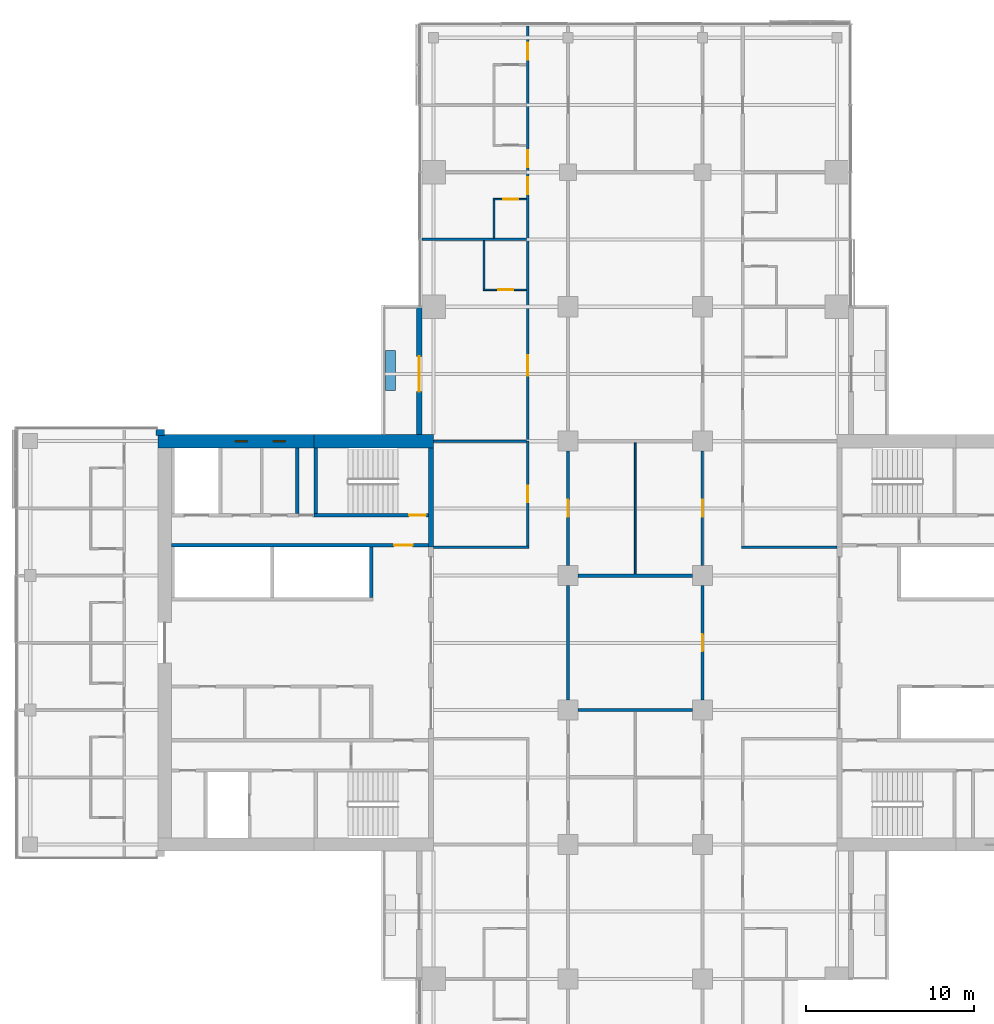
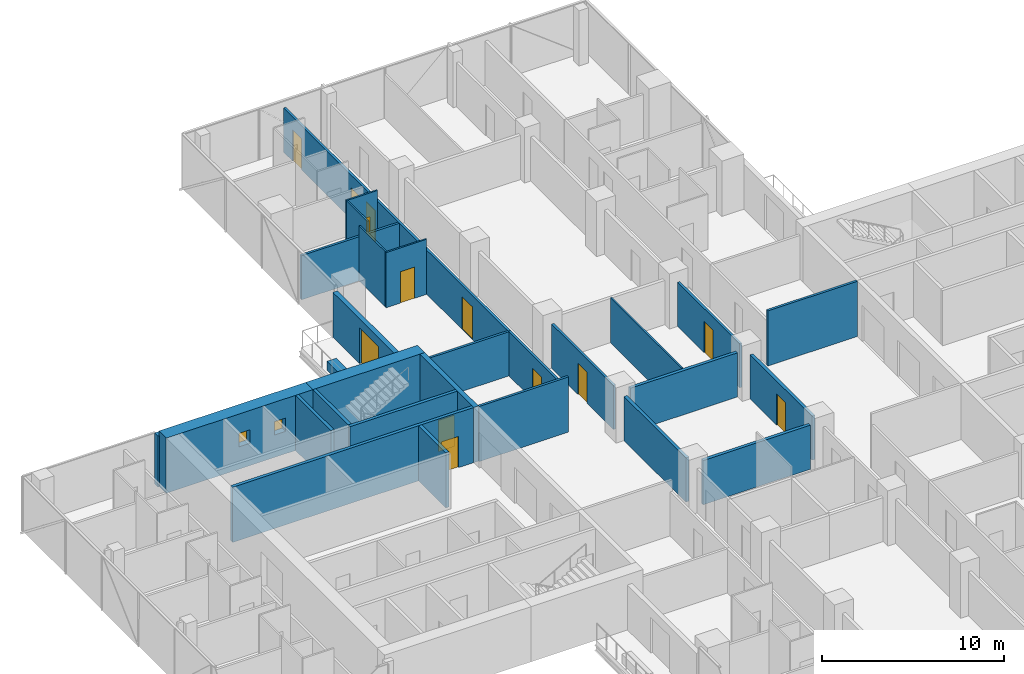
# One storey, part 19 of 27: 28 walls, 13 doors, 2 windows, 15 openings.
"""IFC4 building model written with IfcOpenShell, lengths in metres."""

from ifc_helpers import new_model, si_unit, direction, frame, frame_2d, origin, place, context, subcontext, project, spatial, rectangle, extrude, material, layer, layer_set, constituent, constituent_set, type_object, element, fill, save


model = new_model("IFC4")

# Units and contexts
model_context = context("Model", 3, precision=1e-05, world=origin(), true_north=direction((0.0, 1.0)))
body_context = subcontext(model_context, "Body", "Model", "MODEL_VIEW")
ifc_project = project(units=[si_unit("LENGTHUNIT", "METRE"), si_unit("AREAUNIT", "SQUARE_METRE"), si_unit("VOLUMEUNIT", "CUBIC_METRE"), si_unit("PLANEANGLEUNIT", "RADIAN"), si_unit("MASSUNIT", "GRAM", prefix="KILO")], contexts=[model_context])

# Site, building, storey
site_placement = place(None, origin())
site = spatial("IfcSite", under=ifc_project, at=site_placement, CompositionType="ELEMENT")
building_placement = place(site_placement, origin())
building = spatial("IfcBuilding", under=site, at=building_placement, Name="Crosswind Convention Tower", CompositionType="ELEMENT")
storey_placement = place(building_placement, frame((0.0, 0.0, 72.0)))
storey = spatial("IfcBuildingStorey", under=building, at=storey_placement, Name="L12", CompositionType="ELEMENT", Elevation=72.0)

# Walls
ifc_material_1 = material(Name="Concrete blockwork", Category="masonry")
ifc_layer_1 = layer(ifc_material_1, 0.199951171875)
ifc_layer_set_1 = layer_set([ifc_layer_1], Name="Blockwork partition wall 200")
wall_type_1 = type_object("IfcWallType", Name="Blockwork partition wall 200", PredefinedType="PARTITIONING", material=ifc_layer_set_1)
wall_1_placement = place(storey_placement, frame((104.89990234375, 111.60009765625, 0.0), z_axis=(0.0, 0.0, 1.0), x_axis=(0.0, -1.0, 0.0)))
element("IfcWall", 1, at=wall_1_placement, inside=storey, type_object=wall_type_1, Name="Wall MRSE W L12", PredefinedType="PARTITIONING", context=body_context, shape_type="SweptSolid", body=[
    extrude(rectangle(XDim=3.900146484375, YDim=0.199951171875, at=frame_2d((1.9501953125, 0.0))), origin(), (0.0, 0.0, 1.0), 3.699951171875),
])
ifc_material_2 = material(Name="Plasterboard partition", Category="gypsum")
ifc_layer_2 = layer(ifc_material_2, 0.14990234375)
ifc_layer_set_2 = layer_set([ifc_layer_2], Name="CORRIDOR WALL 150")
wall_type_2 = type_object("IfcWallType", Name="CORRIDOR WALL 150", PredefinedType="PARTITIONING", material=ifc_layer_set_2)
for number, where, z_axis, x_axis, name in (
    (2, (113.0, 105.699951171875, 0.0), (0.0, 0.0, 1.0), (1.0, 0.0, 0.0), "Corridor Wall 44"),
    (3, (131.324951171875, 105.699951171875, 0.0), (0.0, 0.0, 1.0), (1.0, 0.0, 0.0), "Corridor Wall 45"),
):
    element("IfcWall", number, at=place(storey_placement, frame(where, z_axis=z_axis, x_axis=x_axis)), inside=storey, type_object=wall_type_2, Name=name, PredefinedType="PARTITIONING", context=body_context, shape_type="SweptSolid", body=[
        extrude(rectangle(XDim=5.675048828125, YDim=0.14990234375, at=frame_2d((2.83740234375, 0.0))), origin(), (0.0, 0.0, 1.0), 3.699951171875),
    ])

# Wall, opening, door
wall_2_placement = place(storey_placement, frame((118.60009765625, 105.77490234375, 0.0), z_axis=(0.0, 0.0, 1.0), x_axis=(0.0, 1.0, 0.0)))
wall_2 = element("IfcWall", 4, at=wall_2_placement, inside=storey, type_object=wall_type_2, Name="Corridor Wall 85", PredefinedType="PARTITIONING", context=body_context, shape_type="SweptSolid", body=[
    extrude(rectangle(XDim=6.22509765625, YDim=0.14990234375, at=frame_2d((3.112548828125, 0.0))), origin(), (0.0, 0.0, 1.0), 2.956298828125),
])
opening_1_placement = place(wall_2_placement, frame((2.574951171875, 0.0, 0.0)))
opening_1 = element("IfcOpeningElement", 5, at=opening_1_placement, cuts=wall_2, Name="Opening 12.003", PredefinedType="OPENING", context=body_context, shape_type="SweptSolid", body=[
    extrude(rectangle(XDim=1.0, YDim=2.10009765625, at=frame_2d((0.5, 1.050048828125))), frame((0.0, 0.0849609375, 0.0), z_axis=(0.0, -1.0, 0.0), x_axis=(1.0, 0.0, 0.0)), (0.0, 0.0, 1.0), 0.169921875),
])
ifc_material_3 = material(Name="Timber fire door", Category="wood")
door_type_1 = type_object("IfcDoorType", Name="SERVICE ROOM DOOR 1000X2100", OperationType="NOTDEFINED", PredefinedType="DOOR", material=ifc_material_3)
door_1_placement = place(opening_1_placement, origin())
door_1 = element("IfcDoor", 6, at=door_1_placement, inside=storey, type_object=door_type_1, Name="Door 12.003", ObjectType="D3", OperationType="SINGLE_SWING_RIGHT", OverallHeight=2.10009765625, OverallWidth=1.0, PredefinedType="DOOR", context=body_context, shape_type="SweptSolid", body=[
    extrude(rectangle(XDim=1.0, YDim=2.10009765625, at=frame_2d((0.5, 1.050048828125))), frame((0.0, 0.02490234375, 0.0), z_axis=(0.0, -1.0, 0.0), x_axis=(1.0, 0.0, 0.0)), (0.0, 0.0, 1.0), 0.050048828125),
])
fill(opening_1, door_1)

wall_3_placement = place(storey_placement, frame((121.0, 104.60009765625, 0.0), z_axis=(0.0, 0.0, 1.0), x_axis=(0.0, 1.0, 0.0)))
wall_3 = element("IfcWall", 7, at=wall_3_placement, inside=storey, type_object=wall_type_2, Name="Corridor Wall 94", PredefinedType="PARTITIONING", context=body_context, shape_type="SweptSolid", body=[
    extrude(rectangle(XDim=6.7998046875, YDim=0.14990234375, at=frame_2d((3.39990234375, 0.0))), origin(), (0.0, 0.0, 1.0), 2.959716796875),
])
opening_2_placement = place(wall_3_placement, frame((2.89990234375, 0.0, 0.0)))
opening_2 = element("IfcOpeningElement", 8, at=opening_2_placement, cuts=wall_3, Name="Opening 12.065", PredefinedType="OPENING", context=body_context, shape_type="SweptSolid", body=[
    extrude(rectangle(XDim=1.0, YDim=2.10009765625, at=frame_2d((0.5, 1.050048828125))), frame((0.0, 0.0849609375, 0.0), z_axis=(0.0, -1.0, 0.0), x_axis=(1.0, 0.0, 0.0)), (0.0, 0.0, 1.0), 0.169921875),
])
door_2_placement = place(opening_2_placement, frame((1.0, 0.0, 0.0), z_axis=(0.0, 0.0, 1.0), x_axis=(-1.0, 0.0, 0.0)))
door_2 = element("IfcDoor", 9, at=door_2_placement, inside=storey, type_object=door_type_1, Name="Door 12.065", ObjectType="D3", OperationType="SINGLE_SWING_LEFT", OverallHeight=2.10009765625, OverallWidth=1.0, PredefinedType="DOOR", context=body_context, shape_type="SweptSolid", body=[
    extrude(rectangle(XDim=1.0, YDim=2.10009765625, at=frame_2d((0.5, 1.050048828125))), frame((0.0, 0.02490234375, 0.0), z_axis=(0.0, -1.0, 0.0), x_axis=(1.0, 0.0, 0.0)), (0.0, 0.0, 1.0), 0.050048828125),
])
fill(opening_2, door_2)

wall_4_placement = place(storey_placement, frame((129.0, 104.60009765625, 0.0), z_axis=(0.0, 0.0, 1.0), x_axis=(0.0, 1.0, 0.0)))
wall_4 = element("IfcWall", 10, at=wall_4_placement, inside=storey, type_object=wall_type_2, Name="Corridor Wall 110", PredefinedType="PARTITIONING", context=body_context, shape_type="SweptSolid", body=[
    extrude(rectangle(XDim=6.7998046875, YDim=0.14990234375, at=frame_2d((3.39990234375, 0.0))), origin(), (0.0, 0.0, 1.0), 2.959716796875),
])
opening_3_placement = place(wall_4_placement, frame((2.89990234375, 0.0, 0.0)))
opening_3 = element("IfcOpeningElement", 11, at=opening_3_placement, cuts=wall_4, Name="Opening 12.066", PredefinedType="OPENING", context=body_context, shape_type="SweptSolid", body=[
    extrude(rectangle(XDim=1.0, YDim=2.10009765625, at=frame_2d((0.5, 1.050048828125))), frame((0.0, 0.0849609375, 0.0), z_axis=(0.0, -1.0, 0.0), x_axis=(1.0, 0.0, 0.0)), (0.0, 0.0, 1.0), 0.169921875),
])
door_3_placement = place(opening_3_placement, origin())
door_3 = element("IfcDoor", 12, at=door_3_placement, inside=storey, type_object=door_type_1, Name="Door 12.066", ObjectType="D3", OperationType="SINGLE_SWING_RIGHT", OverallHeight=2.10009765625, OverallWidth=1.0, PredefinedType="DOOR", context=body_context, shape_type="SweptSolid", body=[
    extrude(rectangle(XDim=1.0, YDim=2.10009765625, at=frame_2d((0.5, 1.050048828125))), frame((0.0, 0.02490234375, 0.0), z_axis=(0.0, -1.0, 0.0), x_axis=(1.0, 0.0, 0.0)), (0.0, 0.0, 1.0), 0.050048828125),
])
fill(opening_3, door_3)

# Walls
ifc_material_4 = material(Name="Concrete C50/60", Category="concrete")
ifc_layer_3 = layer(ifc_material_4, 0.300048828125)
ifc_layer_set_3 = layer_set([ifc_layer_3], Name="Concrete C50/60")
wall_type_3 = type_object("IfcWallType", Name="Concrete inner core wall 300", PredefinedType="SHEAR", material=ifc_layer_set_3)
wall_5_placement = place(storey_placement, frame((112.85009765625, 111.60009765625, 0.0), z_axis=(0.0, 0.0, 1.0), x_axis=(0.0, -1.0, 0.0)))
element("IfcWall", 13, at=wall_5_placement, inside=storey, type_object=wall_type_3, Name="Wall EM W L12", PredefinedType="SHEAR", context=body_context, shape_type="SweptSolid", body=[
    extrude(rectangle(XDim=5.900146484375, YDim=0.300048828125, at=frame_2d((2.9501953125, 0.0))), origin(), (0.0, 0.0, 1.0), 3.699951171875),
])
ifc_layer_4 = layer(ifc_material_4, 0.199951171875)
ifc_layer_set_4 = layer_set([ifc_layer_4], Name="Concrete C50/60")
wall_type_4 = type_object("IfcWallType", Name="Concrete shaft and stair wall 200", PredefinedType="SHEAR", material=ifc_layer_set_4)
wall_6_placement = place(storey_placement, frame((109.300048828125, 105.699951171875, 0.0), z_axis=(0.0, 0.0, 1.0), x_axis=(0.0, -1.0, 0.0)))
element("IfcWall", 14, at=wall_6_placement, inside=storey, type_object=wall_type_4, Name="Wall RMEND W L12", PredefinedType="SHEAR", context=body_context, shape_type="SweptSolid", body=[
    extrude(rectangle(XDim=3.0, YDim=0.199951171875, at=frame_2d((1.5, 0.0))), origin(), (0.0, 0.0, 1.0), 3.699951171875),
])

# Wall, opening, door
wall_7_placement = place(storey_placement, frame((112.699951171875, 105.800048828125, 0.0), z_axis=(0.0, 0.0, 1.0), x_axis=(-1.0, 0.0, 0.0)))
wall_7 = element("IfcWall", 15, at=wall_7_placement, inside=storey, type_object=wall_type_4, Name="Wall HM W L12", PredefinedType="SHEAR", context=body_context, shape_type="SweptSolid", body=[
    extrude(rectangle(XDim=15.300048828125, YDim=0.199951171875, at=frame_2d((7.64990234375, 0.0))), origin(), (0.0, 0.0, 1.0), 3.699951171875),
])
opening_4_placement = place(wall_7_placement, frame((0.949951171875, 0.0, 0.0)))
opening_4 = element("IfcOpeningElement", 16, at=opening_4_placement, cuts=wall_7, Name="Opening D104", PredefinedType="OPENING", context=body_context, shape_type="SweptSolid", body=[
    extrude(rectangle(XDim=1.10009765625, YDim=2.10009765625, at=frame_2d((0.550048828125, 1.050048828125))), frame((0.0, 0.10986328125, 0.0), z_axis=(0.0, -1.0, 0.0), x_axis=(1.0, 0.0, 0.0)), (0.0, 0.0, 1.0), 0.219970703125),
])
ifc_material_5 = material(Name="Steel fire door", Category="steel")
door_type_2 = type_object("IfcDoorType", Name="Fire-rated single door 1100x2100", OperationType="NOTDEFINED", PredefinedType="DOOR", material=ifc_material_5)
door_4_placement = place(opening_4_placement, origin())
door_4 = element("IfcDoor", 17, at=door_4_placement, inside=storey, type_object=door_type_2, Name="Corridor door L12", ObjectType="D104", OperationType="SINGLE_SWING_LEFT", OverallHeight=2.10009765625, OverallWidth=1.10009765625, PredefinedType="DOOR", context=body_context, shape_type="SweptSolid", body=[
    extrude(rectangle(XDim=1.10009765625, YDim=2.10009765625, at=frame_2d((0.550048828125, 1.050048828125))), frame((0.0, 0.02490234375, 0.0), z_axis=(0.0, -1.0, 0.0), x_axis=(1.0, 0.0, 0.0)), (0.0, 0.0, 1.0), 0.050048828125),
])
fill(opening_4, door_4)

# Wall
wall_8_placement = place(storey_placement, frame((106.0, 111.60009765625, 0.0), z_axis=(0.0, 0.0, 1.0), x_axis=(0.0, -1.0, 0.0)))
element("IfcWall", 18, at=wall_8_placement, inside=storey, type_object=wall_type_4, Name="Wall MSE W L12", PredefinedType="SHEAR", context=body_context, shape_type="SweptSolid", body=[
    extrude(rectangle(XDim=3.900146484375, YDim=0.199951171875, at=frame_2d((1.9501953125, 0.0))), origin(), (0.0, 0.0, 1.0), 3.699951171875),
])

# Wall, opening, door
wall_9_placement = place(storey_placement, frame((112.699951171875, 107.60009765625, 0.0), z_axis=(0.0, 0.0, 1.0), x_axis=(-1.0, 0.0, 0.0)))
wall_9 = element("IfcWall", 19, at=wall_9_placement, inside=storey, type_object=wall_type_4, Name="Wall MCW W L12", PredefinedType="SHEAR", context=body_context, shape_type="SweptSolid", body=[
    extrude(rectangle(XDim=6.800048828125, YDim=0.199951171875, at=frame_2d((3.39990234375, 0.0))), origin(), (0.0, 0.0, 1.0), 3.699951171875),
])
opening_5_placement = place(wall_9_placement, frame((0.14990234375, 0.0, 0.0)))
opening_5 = element("IfcOpeningElement", 20, at=opening_5_placement, cuts=wall_9, Name="Opening D103", PredefinedType="OPENING", context=body_context, shape_type="SweptSolid", body=[
    extrude(rectangle(XDim=1.0, YDim=2.10009765625, at=frame_2d((0.5, 1.050048828125))), frame((0.0, 0.10986328125, 0.0), z_axis=(0.0, -1.0, 0.0), x_axis=(1.0, 0.0, 0.0)), (0.0, 0.0, 1.0), 0.219970703125),
])
door_type_3 = type_object("IfcDoorType", Name="Fire-rated single door 1000x2100", OperationType="NOTDEFINED", PredefinedType="DOOR", material=ifc_material_5)
door_5_placement = place(opening_5_placement, frame((1.0, 0.0, 0.0), z_axis=(0.0, 0.0, 1.0), x_axis=(-1.0, 0.0, 0.0)))
door_5 = element("IfcDoor", 21, at=door_5_placement, inside=storey, type_object=door_type_3, Name="Stair ST4 door L12", ObjectType="D103", OperationType="SINGLE_SWING_RIGHT", OverallHeight=2.10009765625, OverallWidth=1.0, PredefinedType="DOOR", context=body_context, shape_type="SweptSolid", body=[
    extrude(rectangle(XDim=1.0, YDim=2.10009765625, at=frame_2d((0.5, 1.050048828125))), frame((0.0, 0.02490234375, 0.0), z_axis=(0.0, -1.0, 0.0), x_axis=(1.0, 0.0, 0.0)), (0.0, 0.0, 1.0), 0.050048828125),
])
fill(opening_5, door_5)

# Walls
ifc_material_6 = material(Name="Acoustic plasterboard partition", Category="gypsum")
ifc_layer_5 = layer(ifc_material_6, 0.14990234375)
ifc_layer_set_5 = layer_set([ifc_layer_5], Name="GUEST ROOM WALL 150")
wall_type_5 = type_object("IfcWallType", Name="GUEST ROOM WALL 150", PredefinedType="PARTITIONING", material=ifc_layer_set_5)
wall_10_placement = place(storey_placement, frame((113.0, 112.0, 0.0), z_axis=(0.0, 0.0, 1.0), x_axis=(1.0, 0.0, 0.0)))
element("IfcWall", 22, at=wall_10_placement, inside=storey, type_object=wall_type_5, Name="Guest Room Wall 51", PredefinedType="PARTITIONING", context=body_context, shape_type="SweptSolid", body=[
    extrude(rectangle(XDim=5.52490234375, YDim=0.14990234375, at=frame_2d((2.762451171875, 0.0))), origin(), (0.0, 0.0, 1.0), 2.956298828125),
])
wall_11_placement = place(storey_placement, frame((112.300048828125, 124.0, 0.0), z_axis=(0.0, 0.0, 1.0), x_axis=(1.0, 0.0, 0.0)))
element("IfcWall", 23, at=wall_11_placement, inside=storey, type_object=wall_type_5, Name="Guest Room Wall 58", PredefinedType="PARTITIONING", context=body_context, shape_type="SweptSolid", body=[
    extrude(rectangle(XDim=6.224853515625, YDim=0.14990234375, at=frame_2d((3.1123046875, 0.0))), origin(), (0.0, 0.0, 1.0), 2.962890625),
])

# Wall, openings, doors
wall_12_placement = place(storey_placement, frame((118.60009765625, 112.0, 0.0), z_axis=(0.0, 0.0, 1.0), x_axis=(0.0, 1.0, 0.0)))
wall_12 = element("IfcWall", 24, at=wall_12_placement, inside=storey, type_object=wall_type_5, Name="Guest Room Wall 86", PredefinedType="PARTITIONING", context=body_context, shape_type="SweptSolid", body=[
    extrude(rectangle(XDim=24.699951171875, YDim=0.14990234375, at=frame_2d((12.35009765625, 0.0))), origin(), (0.0, 0.0, 1.0), 2.956298828125),
])
opening_6_placement = place(wall_12_placement, frame((3.89990234375, 0.0, 0.0)))
opening_6 = element("IfcOpeningElement", 25, at=opening_6_placement, cuts=wall_12, Name="Opening 12.012", PredefinedType="OPENING", context=body_context, shape_type="SweptSolid", body=[
    extrude(rectangle(XDim=1.199951171875, YDim=2.199951171875, at=frame_2d((0.60009765625, 1.10009765625))), frame((0.0, 0.0849609375, 0.0), z_axis=(0.0, -1.0, 0.0), x_axis=(1.0, 0.0, 0.0)), (0.0, 0.0, 1.0), 0.169921875),
])
opening_7_placement = place(wall_12_placement, frame((14.699951171875, 0.0, 0.0)))
opening_7 = element("IfcOpeningElement", 26, at=opening_7_placement, cuts=wall_12, Name="Opening 12.014", PredefinedType="OPENING", context=body_context, shape_type="SweptSolid", body=[
    extrude(rectangle(XDim=1.0, YDim=2.10009765625, at=frame_2d((0.5, 1.050048828125))), frame((0.0, 0.0849609375, 0.0), z_axis=(0.0, -1.0, 0.0), x_axis=(1.0, 0.0, 0.0)), (0.0, 0.0, 1.0), 0.169921875),
])
opening_8_placement = place(wall_12_placement, frame((16.300048828125, 0.0, 0.0)))
opening_8 = element("IfcOpeningElement", 27, at=opening_8_placement, cuts=wall_12, Name="Opening 12.016", PredefinedType="OPENING", context=body_context, shape_type="SweptSolid", body=[
    extrude(rectangle(XDim=1.0, YDim=2.10009765625, at=frame_2d((0.5, 1.050048828125))), frame((0.0, 0.0849609375, 0.0), z_axis=(0.0, -1.0, 0.0), x_axis=(1.0, 0.0, 0.0)), (0.0, 0.0, 1.0), 0.169921875),
])
opening_9_placement = place(wall_12_placement, frame((22.699951171875, 0.0, 0.0)))
opening_9 = element("IfcOpeningElement", 28, at=opening_9_placement, cuts=wall_12, Name="Opening 12.018", PredefinedType="OPENING", context=body_context, shape_type="SweptSolid", body=[
    extrude(rectangle(XDim=1.0, YDim=2.10009765625, at=frame_2d((0.5, 1.050048828125))), frame((0.0, 0.0849609375, 0.0), z_axis=(0.0, -1.0, 0.0), x_axis=(1.0, 0.0, 0.0)), (0.0, 0.0, 1.0), 0.169921875),
])
door_type_4 = type_object("IfcDoorType", Name="GUEST ROOM DOOR 1000X2100", OperationType="NOTDEFINED", PredefinedType="DOOR", material=ifc_material_3)
door_6_placement = place(opening_7_placement, origin())
door_6 = element("IfcDoor", 29, at=door_6_placement, inside=storey, type_object=door_type_4, Name="Door 12.014", ObjectType="D1", OperationType="SINGLE_SWING_RIGHT", OverallHeight=2.10009765625, OverallWidth=1.0, PredefinedType="DOOR", context=body_context, shape_type="SweptSolid", body=[
    extrude(rectangle(XDim=1.0, YDim=2.10009765625, at=frame_2d((0.5, 1.050048828125))), frame((0.0, 0.02490234375, 0.0), z_axis=(0.0, -1.0, 0.0), x_axis=(1.0, 0.0, 0.0)), (0.0, 0.0, 1.0), 0.050048828125),
])
fill(opening_7, door_6)
door_7_placement = place(opening_8_placement, origin())
door_7 = element("IfcDoor", 30, at=door_7_placement, inside=storey, type_object=door_type_4, Name="Door 12.016", ObjectType="D1", OperationType="SINGLE_SWING_RIGHT", OverallHeight=2.10009765625, OverallWidth=1.0, PredefinedType="DOOR", context=body_context, shape_type="SweptSolid", body=[
    extrude(rectangle(XDim=1.0, YDim=2.10009765625, at=frame_2d((0.5, 1.050048828125))), frame((0.0, 0.02490234375, 0.0), z_axis=(0.0, -1.0, 0.0), x_axis=(1.0, 0.0, 0.0)), (0.0, 0.0, 1.0), 0.050048828125),
])
fill(opening_8, door_7)
door_8_placement = place(opening_9_placement, origin())
door_8 = element("IfcDoor", 31, at=door_8_placement, inside=storey, type_object=door_type_4, Name="Door 12.018", ObjectType="D1", OperationType="SINGLE_SWING_LEFT", OverallHeight=2.10009765625, OverallWidth=1.0, PredefinedType="DOOR", context=body_context, shape_type="SweptSolid", body=[
    extrude(rectangle(XDim=1.0, YDim=2.10009765625, at=frame_2d((0.5, 1.050048828125))), frame((0.0, 0.02490234375, 0.0), z_axis=(0.0, -1.0, 0.0), x_axis=(1.0, 0.0, 0.0)), (0.0, 0.0, 1.0), 0.050048828125),
])
fill(opening_9, door_8)
door_type_5 = type_object("IfcDoorType", Name="SUITE DOOR 1200X2200", OperationType="DOUBLE_DOOR_SINGLE_SWING", PredefinedType="DOOR", material=ifc_material_3)
door_9_placement = place(opening_6_placement, origin())
door_9 = element("IfcDoor", 32, at=door_9_placement, inside=storey, type_object=door_type_5, Name="Door 12.012", ObjectType="D14", OperationType="DOUBLE_DOOR_SINGLE_SWING", OverallHeight=2.199951171875, OverallWidth=1.199951171875, PredefinedType="DOOR", context=body_context, shape_type="SweptSolid", body=[
    extrude(rectangle(XDim=1.199951171875, YDim=2.199951171875, at=frame_2d((0.60009765625, 1.10009765625))), frame((0.0, 0.02490234375, 0.0), z_axis=(0.0, -1.0, 0.0), x_axis=(1.0, 0.0, 0.0)), (0.0, 0.0, 1.0), 0.050048828125),
])
fill(opening_6, door_9)

# Walls
ifc_material_7 = material(Name="Double plasterboard partition", Category="gypsum")
ifc_layer_6 = layer(ifc_material_7, 0.199951171875)
ifc_layer_set_6 = layer_set([ifc_layer_6], Name="HALL WALL 200")
wall_type_6 = type_object("IfcWallType", Name="HALL WALL 200", PredefinedType="PARTITIONING", material=ifc_layer_set_6)
for number, where, z_axis, x_axis, name in (
    (33, (121.60009765625, 96.0, 0.0), (0.0, 0.0, 1.0), (1.0, 0.0, 0.0), "Hall Wall 31"),
    (34, (121.60009765625, 104.0, 0.0), (0.0, 0.0, 1.0), (1.0, 0.0, 0.0), "Hall Wall 40"),
    (35, (121.0, 96.60009765625, 0.0), (0.0, 0.0, 1.0), (0.0, 1.0, 0.0), "Hall Wall 93"),
):
    element("IfcWall", number, at=place(storey_placement, frame(where, z_axis=z_axis, x_axis=x_axis)), inside=storey, type_object=wall_type_6, Name=name, PredefinedType="PARTITIONING", context=body_context, shape_type="SweptSolid", body=[
        extrude(rectangle(XDim=6.7998046875, YDim=0.199951171875, at=frame_2d((3.39990234375, 0.0))), origin(), (0.0, 0.0, 1.0), 2.959716796875),
    ])

# Wall, opening, door
wall_13_placement = place(storey_placement, frame((129.0, 96.60009765625, 0.0), z_axis=(0.0, 0.0, 1.0), x_axis=(0.0, 1.0, 0.0)))
wall_13 = element("IfcWall", 36, at=wall_13_placement, inside=storey, type_object=wall_type_6, Name="Hall Wall 109", PredefinedType="PARTITIONING", context=body_context, shape_type="SweptSolid", body=[
    extrude(rectangle(XDim=6.7998046875, YDim=0.199951171875, at=frame_2d((3.39990234375, 0.0))), origin(), (0.0, 0.0, 1.0), 2.959716796875),
])
opening_10_placement = place(wall_13_placement, frame((2.89990234375, 0.0, 0.0)))
opening_10 = element("IfcOpeningElement", 37, at=opening_10_placement, cuts=wall_13, Name="Opening 12.064", PredefinedType="OPENING", context=body_context, shape_type="SweptSolid", body=[
    extrude(rectangle(XDim=1.0, YDim=2.10009765625, at=frame_2d((0.5, 1.050048828125))), frame((0.0, 0.10986328125, 0.0), z_axis=(0.0, -1.0, 0.0), x_axis=(1.0, 0.0, 0.0)), (0.0, 0.0, 1.0), 0.219970703125),
])
door_type_6 = type_object("IfcDoorType", Name="MEETING ROOM DOOR 1000X2100", OperationType="NOTDEFINED", PredefinedType="DOOR", material=ifc_material_3)
door_10_placement = place(opening_10_placement, frame((1.0, 0.0, 0.0), z_axis=(0.0, 0.0, 1.0), x_axis=(-1.0, 0.0, 0.0)))
door_10 = element("IfcDoor", 38, at=door_10_placement, inside=storey, type_object=door_type_6, Name="Door 12.064", ObjectType="D13", OperationType="SINGLE_SWING_LEFT", OverallHeight=2.10009765625, OverallWidth=1.0, PredefinedType="DOOR", context=body_context, shape_type="SweptSolid", body=[
    extrude(rectangle(XDim=1.0, YDim=2.10009765625, at=frame_2d((0.5, 1.050048828125))), frame((0.0, 0.02490234375, 0.0), z_axis=(0.0, -1.0, 0.0), x_axis=(1.0, 0.0, 0.0)), (0.0, 0.0, 1.0), 0.050048828125),
])
fill(opening_10, door_10)

# Walls
ifc_layer_7 = layer(ifc_material_2, 0.10009765625)
ifc_layer_set_7 = layer_set([ifc_layer_7], Name="PARTITION 100")
wall_type_7 = type_object("IfcWallType", Name="PARTITION 100", PredefinedType="PARTITIONING", material=ifc_layer_set_7)
wall_14_placement = place(storey_placement, frame((125.0, 104.10009765625, 0.0), z_axis=(0.0, 0.0, 1.0), x_axis=(0.0, 1.0, 0.0)))
element("IfcWall", 39, at=wall_14_placement, inside=storey, type_object=wall_type_7, Name="Partition 102", PredefinedType="PARTITIONING", context=body_context, shape_type="SweptSolid", body=[
    extrude(rectangle(XDim=7.7998046875, YDim=0.10009765625, at=frame_2d((3.89990234375, 0.0))), origin(), (0.0, 0.0, 1.0), 3.013671875),
])
ifc_material_8 = material(Name="Concrete C30/37", Category="concrete")
ifc_layer_8 = layer(ifc_material_8, 0.60009765625)
ifc_layer_set_8 = layer_set([ifc_layer_8], Name="Concrete C30/37")
wall_type_8 = type_object("IfcWallType", Name="PLANTER BOX WALL 600", PredefinedType="SOLIDWALL", material=ifc_layer_set_8)
wall_15_placement = place(storey_placement, frame((110.449951171875, 117.39990234375, 0.0), z_axis=(0.0, 0.0, 1.0), x_axis=(0.0, -1.0, 0.0)))
element("IfcWall", 40, at=wall_15_placement, inside=storey, type_object=wall_type_8, Name="PLANTER L12 N-W.1-3", PredefinedType="SOLIDWALL", context=body_context, shape_type="SweptSolid", body=[
    extrude(rectangle(XDim=2.39990234375, YDim=0.60009765625, at=frame_2d((1.199951171875, 0.0))), origin(), (0.0, 0.0, 1.0), 0.60009765625),
])
ifc_material_9 = material(Name="Terracotta rainscreen", Category="ceramic")
ifc_layer_9 = layer(ifc_material_9, 0.02001953125)
ifc_material_10 = material(Name="Mineral wool insulation", Category="insulation")
ifc_layer_10 = layer(ifc_material_10, 0.10009765625)
ifc_layer_11 = layer(ifc_material_1, 0.236083984375)
ifc_layer_set_9 = layer_set([ifc_layer_9, ifc_layer_10, ifc_layer_11], Name="TERRACOTTA CORNER INFILL WALL 356")
wall_type_9 = type_object("IfcWallType", Name="TERRACOTTA CORNER INFILL WALL 356", PredefinedType="SOLIDWALL", material=ifc_layer_set_9)
wall_16_placement = place(storey_placement, frame((96.4951171875, 112.52197265625, 0.0), z_axis=(0.0, 0.0, 1.0), x_axis=(1.0, 0.0, 0.0)))
element("IfcWall", 41, at=wall_16_placement, inside=storey, type_object=wall_type_9, Name="Core corner infill wall L12 2", PredefinedType="SOLIDWALL", context=body_context, shape_type="SweptSolid", body=[
    extrude(rectangle(XDim=0.5048828125, YDim=0.35595703125, at=frame_2d((0.25244140625, 0.0))), origin(), (0.0, 0.0, 1.0), 3.419921875),
])

# Wall, opening, door
ifc_layer_12 = layer(ifc_material_9, 0.02001953125)
ifc_layer_13 = layer(ifc_material_10, 0.10009765625)
ifc_layer_14 = layer(ifc_material_1, 0.179931640625)
ifc_layer_set_10 = layer_set([ifc_layer_12, ifc_layer_13, ifc_layer_14], Name="TERRACOTTA INFILL WALL 300")
wall_type_10 = type_object("IfcWallType", Name="TERRACOTTA INFILL WALL 300", PredefinedType="SOLIDWALL", material=ifc_layer_set_10)
wall_17_placement = place(storey_placement, frame((112.14990234375, 119.967529296875, 0.0), z_axis=(0.0, 0.0, 1.0), x_axis=(0.0, -1.0, 0.0)))
wall_17 = element("IfcWall", 42, at=wall_17_placement, inside=storey, type_object=wall_type_10, Name="Notch front wall L12 N-W.1-3", PredefinedType="SOLIDWALL", context=body_context, shape_type="SweptSolid", body=[
    extrude(rectangle(XDim=7.567626953125, YDim=0.300048828125, at=frame_2d((3.78369140625, 0.0))), origin(), (0.0, 0.0, 1.0), 3.013671875),
])
opening_11_placement = place(wall_17_placement, frame((2.91748046875, 0.0, 0.0)))
opening_11 = element("IfcOpeningElement", 43, at=opening_11_placement, cuts=wall_17, Name="Opening D141", PredefinedType="OPENING", context=body_context, shape_type="SweptSolid", body=[
    extrude(rectangle(XDim=2.10009765625, YDim=2.39990234375, at=frame_2d((1.050048828125, 1.199951171875))), frame((0.0, 0.159912109375, 0.0), z_axis=(0.0, -1.0, 0.0), x_axis=(1.0, 0.0, 0.0)), (0.0, 0.0, 1.0), 0.320068359375),
])
ifc_material_11 = material(Name="Aluminium glazed door", Category="aluminium")
door_type_7 = type_object("IfcDoorType", Name="BALCONY SLIDING DOOR 2100X2400", OperationType="SLIDING_TO_LEFT", PredefinedType="DOOR", material=ifc_material_11)
door_11_placement = place(opening_11_placement, frame((2.10009765625, 0.0, 0.0), z_axis=(0.0, 0.0, 1.0), x_axis=(-1.0, 0.0, 0.0)))
door_11 = element("IfcDoor", 44, at=door_11_placement, inside=storey, type_object=door_type_7, Name="D141 balcony door L12 N-W.1-3", ObjectType="D141", OperationType="SLIDING_TO_LEFT", OverallHeight=2.39990234375, OverallWidth=2.10009765625, PredefinedType="DOOR", context=body_context, shape_type="SweptSolid", body=[
    extrude(rectangle(XDim=2.10009765625, YDim=2.39990234375, at=frame_2d((1.050048828125, 1.199951171875))), frame((0.0, 0.02490234375, 0.0), z_axis=(0.0, -1.0, 0.0), x_axis=(1.0, 0.0, 0.0)), (0.0, 0.0, 1.0), 0.050048828125),
])
fill(opening_11, door_11)

# Wall
ifc_material_12 = material(Name="Concrete C60/75", Category="concrete")
ifc_constituent_1 = constituent(ifc_material_12, Name="Structure")
ifc_constituent_2 = constituent(ifc_material_9, Name="Facing")
ifc_constituent_set = constituent_set(constituents=[ifc_constituent_1, ifc_constituent_2], Name="Concrete C60/75, Terracotta rainscreen")
wall_type_11 = type_object("IfcWallType", Name="Terracotta rainscreen on concrete core wall 800", PredefinedType="SHEAR", material=ifc_constituent_set)
wall_18_placement = place(storey_placement, frame((113.0, 112.0, 0.0), z_axis=(0.0, 0.0, 1.0), x_axis=(-1.0, 0.0, 0.0)))
element("IfcWall", 45, at=wall_18_placement, inside=storey, type_object=wall_type_11, Name="Wall S1 W L12", PredefinedType="SHEAR", context=body_context, shape_type="SweptSolid", body=[
    extrude(rectangle(XDim=7.10009765625, YDim=0.800048828125, at=frame_2d((3.550048828125, 0.0))), origin(), (0.0, 0.0, 1.0), 3.699951171875),
])

# Wall, openings, windows
wall_19_placement = place(storey_placement, frame((105.89990234375, 112.0, 0.0), z_axis=(0.0, 0.0, 1.0), x_axis=(-1.0, 0.0, 0.0)))
wall_19 = element("IfcWall", 46, at=wall_19_placement, inside=storey, type_object=wall_type_11, Name="Wall S2 W L12", PredefinedType="SHEAR", context=body_context, shape_type="SweptSolid", body=[
    extrude(rectangle(XDim=9.2998046875, YDim=0.800048828125, at=frame_2d((4.64990234375, 0.0))), origin(), (0.0, 0.0, 1.0), 3.699951171875),
])
opening_12_placement = place(wall_19_placement, frame((1.730712890625, 0.0, 1.5)))
opening_12 = element("IfcOpeningElement", 47, at=opening_12_placement, cuts=wall_19, Name="Opening W2", PredefinedType="OPENING", context=body_context, shape_type="SweptSolid", body=[
    extrude(rectangle(XDim=0.699951171875, YDim=0.89990234375, at=frame_2d((0.35009765625, 0.449951171875))), frame((0.0, 0.409912109375, 0.0), z_axis=(0.0, -1.0, 0.0), x_axis=(1.0, 0.0, 0.0)), (0.0, 0.0, 1.0), 0.820068359375),
])
opening_13_placement = place(wall_19_placement, frame((3.9931640625, 0.0, 1.5)))
opening_13 = element("IfcOpeningElement", 48, at=opening_13_placement, cuts=wall_19, Name="Opening W2", PredefinedType="OPENING", context=body_context, shape_type="SweptSolid", body=[
    extrude(rectangle(XDim=0.699951171875, YDim=0.89990234375, at=frame_2d((0.35009765625, 0.449951171875))), frame((0.0, 0.409912109375, 0.0), z_axis=(0.0, -1.0, 0.0), x_axis=(1.0, 0.0, 0.0)), (0.0, 0.0, 1.0), 0.820068359375),
])
ifc_material_13 = material(Name="Obscure glass in aluminium frame", Category="aluminium")
window_type = type_object("IfcWindowType", Name="WC window 700x900", PartitioningType="SINGLE_PANEL", PredefinedType="WINDOW", material=ifc_material_13)
window_1_placement = place(opening_12_placement, origin())
window_1 = element("IfcWindow", 49, at=window_1_placement, inside=storey, type_object=window_type, Name="WC window L12", ObjectType="W2", OverallHeight=0.89990234375, OverallWidth=0.699951171875, PartitioningType="SINGLE_PANEL", PredefinedType="WINDOW", context=body_context, shape_type="SweptSolid", body=[
    extrude(rectangle(XDim=0.699951171875, YDim=0.89990234375, at=frame_2d((0.35009765625, 0.449951171875))), frame((0.0, 0.030029296875, 0.0), z_axis=(0.0, -1.0, 0.0), x_axis=(1.0, 0.0, 0.0)), (0.0, 0.0, 1.0), 0.06005859375),
])
fill(opening_12, window_1)
window_2_placement = place(opening_13_placement, origin())
window_2 = element("IfcWindow", 50, at=window_2_placement, inside=storey, type_object=window_type, Name="WC window L12", ObjectType="W2", OverallHeight=0.89990234375, OverallWidth=0.699951171875, PartitioningType="SINGLE_PANEL", PredefinedType="WINDOW", context=body_context, shape_type="SweptSolid", body=[
    extrude(rectangle(XDim=0.699951171875, YDim=0.89990234375, at=frame_2d((0.35009765625, 0.449951171875))), frame((0.0, 0.030029296875, 0.0), z_axis=(0.0, -1.0, 0.0), x_axis=(1.0, 0.0, 0.0)), (0.0, 0.0, 1.0), 0.06005859375),
])
fill(opening_13, window_2)

# Wall, opening, door
ifc_material_14 = material(Name="Water-resistant plasterboard partition", Category="gypsum")
ifc_layer_15 = layer(ifc_material_14, 0.10009765625)
ifc_layer_set_11 = layer_set([ifc_layer_15], Name="WET ROOM PARTITION 100")
wall_type_12 = type_object("IfcWallType", Name="WET ROOM PARTITION 100", PredefinedType="PLUMBINGWALL", material=ifc_layer_set_11)
wall_20_placement = place(storey_placement, frame((115.949951171875, 121.0, 0.0), z_axis=(0.0, 0.0, 1.0), x_axis=(1.0, 0.0, 0.0)))
wall_20 = element("IfcWall", 51, at=wall_20_placement, inside=storey, type_object=wall_type_12, Name="Wet Room Partition 56", PredefinedType="PLUMBINGWALL", context=body_context, shape_type="SweptSolid", body=[
    extrude(rectangle(XDim=2.574951171875, YDim=0.10009765625, at=frame_2d((1.28759765625, 0.0))), origin(), (0.0, 0.0, 1.0), 3.699951171875),
])
opening_14_placement = place(wall_20_placement, frame((0.89990234375, 0.0, 0.0)))
opening_14 = element("IfcOpeningElement", 52, at=opening_14_placement, cuts=wall_20, Name="Opening 12.013", PredefinedType="OPENING", context=body_context, shape_type="SweptSolid", body=[
    extrude(rectangle(XDim=0.89990234375, YDim=2.10009765625, at=frame_2d((0.449951171875, 1.050048828125))), frame((0.0, 0.06005859375, 0.0), z_axis=(0.0, -1.0, 0.0), x_axis=(1.0, 0.0, 0.0)), (0.0, 0.0, 1.0), 0.1201171875),
])
ifc_material_15 = material(Name="Timber door", Category="wood")
door_type_8 = type_object("IfcDoorType", Name="EN-SUITE DOOR 900X2100", OperationType="NOTDEFINED", PredefinedType="DOOR", material=ifc_material_15)
door_12_placement = place(opening_14_placement, origin())
door_12 = element("IfcDoor", 53, at=door_12_placement, inside=storey, type_object=door_type_8, Name="Door 12.013", ObjectType="D2", OperationType="SINGLE_SWING_RIGHT", OverallHeight=2.10009765625, OverallWidth=0.89990234375, PredefinedType="DOOR", context=body_context, shape_type="SweptSolid", body=[
    extrude(rectangle(XDim=0.89990234375, YDim=2.10009765625, at=frame_2d((0.449951171875, 1.050048828125))), frame((0.0, 0.02490234375, 0.0), z_axis=(0.0, -1.0, 0.0), x_axis=(1.0, 0.0, 0.0)), (0.0, 0.0, 1.0), 0.050048828125),
])
fill(opening_14, door_12)

wall_21_placement = place(storey_placement, frame((116.550048828125, 126.39990234375, 0.0), z_axis=(0.0, 0.0, 1.0), x_axis=(1.0, 0.0, 0.0)))
wall_21 = element("IfcWall", 54, at=wall_21_placement, inside=storey, type_object=wall_type_12, Name="Wet Room Partition 61", PredefinedType="PLUMBINGWALL", context=body_context, shape_type="SweptSolid", body=[
    extrude(rectangle(XDim=1.974853515625, YDim=0.10009765625, at=frame_2d((0.9873046875, 0.0))), origin(), (0.0, 0.0, 1.0), 3.699951171875),
])
opening_15_placement = place(wall_21_placement, frame((0.60009765625, 0.0, 0.0)))
opening_15 = element("IfcOpeningElement", 55, at=opening_15_placement, cuts=wall_21, Name="Opening 12.015", PredefinedType="OPENING", context=body_context, shape_type="SweptSolid", body=[
    extrude(rectangle(XDim=0.89990234375, YDim=2.10009765625, at=frame_2d((0.449951171875, 1.050048828125))), frame((0.0, 0.06005859375, 0.0), z_axis=(0.0, -1.0, 0.0), x_axis=(1.0, 0.0, 0.0)), (0.0, 0.0, 1.0), 0.1201171875),
])
door_13_placement = place(opening_15_placement, frame((0.89990234375, 0.0, 0.0), z_axis=(0.0, 0.0, 1.0), x_axis=(-1.0, 0.0, 0.0)))
door_13 = element("IfcDoor", 56, at=door_13_placement, inside=storey, type_object=door_type_8, Name="Door 12.015", ObjectType="D2", OperationType="SINGLE_SWING_LEFT", OverallHeight=2.10009765625, OverallWidth=0.89990234375, PredefinedType="DOOR", context=body_context, shape_type="SweptSolid", body=[
    extrude(rectangle(XDim=0.89990234375, YDim=2.10009765625, at=frame_2d((0.449951171875, 1.050048828125))), frame((0.0, 0.02490234375, 0.0), z_axis=(0.0, -1.0, 0.0), x_axis=(1.0, 0.0, 0.0)), (0.0, 0.0, 1.0), 0.050048828125),
])
fill(opening_15, door_13)

# Walls
wall_22_placement = place(storey_placement, frame((116.0, 121.050048828125, 0.0), z_axis=(0.0, 0.0, 1.0), x_axis=(0.0, 1.0, 0.0)))
element("IfcWall", 57, at=wall_22_placement, inside=storey, type_object=wall_type_12, Name="Wet Room Partition 76", PredefinedType="PLUMBINGWALL", context=body_context, shape_type="SweptSolid", body=[
    extrude(rectangle(XDim=2.875, YDim=0.10009765625, at=frame_2d((1.4375, 0.0))), origin(), (0.0, 0.0, 1.0), 3.699951171875),
])
wall_23_placement = place(storey_placement, frame((116.60009765625, 124.074951171875, 0.0), z_axis=(0.0, 0.0, 1.0), x_axis=(0.0, 1.0, 0.0)))
element("IfcWall", 58, at=wall_23_placement, inside=storey, type_object=wall_type_12, Name="Wet Room Partition 79", PredefinedType="PLUMBINGWALL", context=body_context, shape_type="SweptSolid", body=[
    extrude(rectangle(XDim=2.275146484375, YDim=0.10009765625, at=frame_2d((1.1376953125, 0.0))), origin(), (0.0, 0.0, 1.0), 3.699951171875),
])

save(model, "model.ifc")
